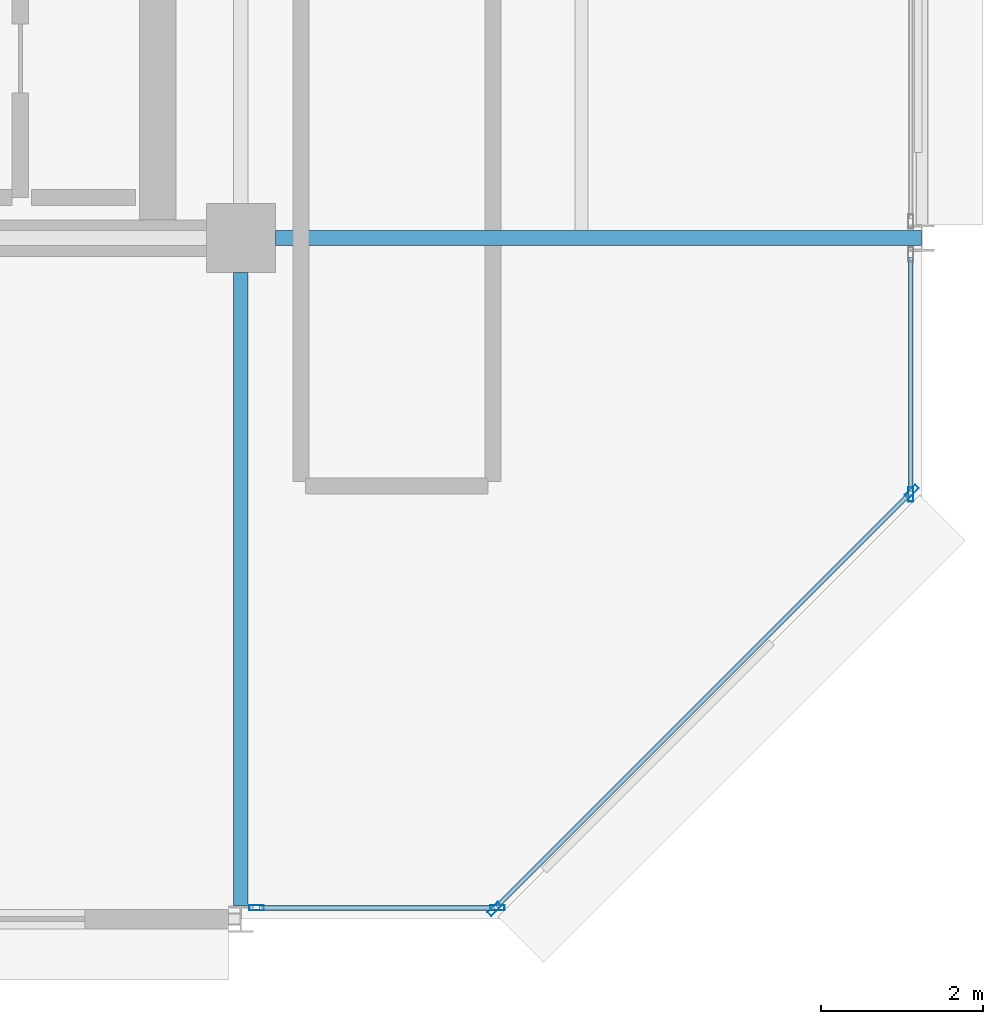
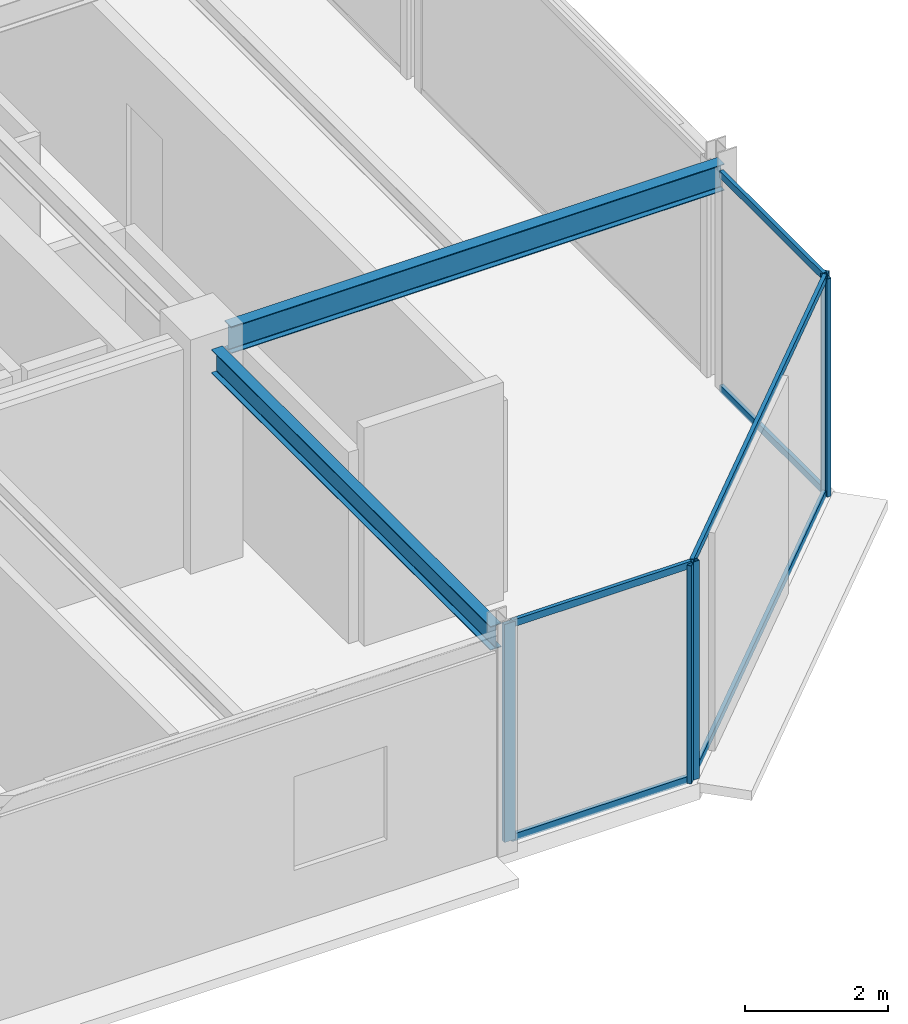
# One storey, part 14 of 27: 11 members, 2 beams, 3 elements without a shape of their own.
"""IFC4 building model written with IfcOpenShell, lengths in metres."""

import ifcopenshell
import ifcopenshell.guid

model = None  # the IFC model being written
_history = None  # IfcOwnerHistory: only IFC2X3 demands one
_inside = {}  # id of a spatial element -> (the spatial element, [elements in it])
_under = {}  # id of a project, library or spatial element -> (it, [spatial elements below it])
_declared = {}  # id of a project -> (the project, [libraries it declares])
_typed = {}  # id of a type object -> (the type object, [elements of that type])
_made_of = {}  # id of a material, layer set ... -> (it, [elements and type objects made of it])


def new_model(schema):
    """Start an empty IFC model of exactly this schema.

    Asked for "IFC4X3", IfcOpenShell would pick the latest addendum, in which some entities
    have other attributes; the version numbers below select the first issue.
    IFC2X3 requires an IfcOwnerHistory on every rooted entity: one is made here for all.
    """
    global model, _history
    if schema == "IFC4X3":
        model = ifcopenshell.file(schema_version=(4, 3, 0, 0))
    else:
        model = ifcopenshell.file(schema=schema)
    _inside.clear()
    _under.clear()
    _declared.clear()
    _typed.clear()
    _made_of.clear()
    _history = None
    if model.schema == "IFC2X3":
        org = make("IfcOrganization", Name="unknown")
        user = make(
            "IfcPersonAndOrganization",
            ThePerson=make("IfcPerson", FamilyName="unknown"),
            TheOrganization=org,
        )
        app = make(
            "IfcApplication",
            ApplicationDeveloper=org,
            Version="unknown",
            ApplicationFullName="unknown",
            ApplicationIdentifier="unknown",
        )
        _history = make(
            "IfcOwnerHistory",
            OwningUser=user,
            OwningApplication=app,
            ChangeAction="ADDED",
            CreationDate=0,
        )
    return model


def make(cls, **values):
    """One entity of the class cls with the attributes given. An attribute that is None is left unset."""
    return model.create_entity(
        cls, **{name: value for name, value in values.items() if value is not None}
    )


def rooted(cls, **values):
    """An entity with a GlobalId (a new one), such as an element, a storey or a relation."""
    return make(cls, GlobalId=ifcopenshell.guid.new(), OwnerHistory=_history, **values)


def si_unit(unit_type, name, prefix=None):
    """IfcSIUnit, for example si_unit("LENGTHUNIT", "METRE", prefix="MILLI")."""
    return make("IfcSIUnit", UnitType=unit_type, Prefix=prefix, Name=name)


def assignment(units):
    """IfcUnitAssignment: the units of a project."""
    return None if units is None else make("IfcUnitAssignment", Units=units)


def point(xyz):
    """IfcCartesianPoint."""
    return None if xyz is None else make("IfcCartesianPoint", Coordinates=xyz)


def direction(xyz):
    """IfcDirection."""
    return None if xyz is None else make("IfcDirection", DirectionRatios=xyz)


def frame(location, z_axis=None, x_axis=None):
    """IfcAxis2Placement3D, a coordinate frame: its origin and axes. An axis left out is left unset."""
    return make(
        "IfcAxis2Placement3D",
        Location=point(location),
        Axis=direction(z_axis),
        RefDirection=direction(x_axis),
    )


def frame_2d(location, x_axis=None):
    """IfcAxis2Placement2D, a coordinate frame in the plane: its origin and x axis."""
    return make(
        "IfcAxis2Placement2D", Location=point(location), RefDirection=direction(x_axis)
    )


def origin():
    """The frame at (0, 0, 0) with its axes left unset."""
    return frame((0.0, 0.0, 0.0))


def origin_2d():
    """The frame at (0, 0) in the plane with its x axis left unset."""
    return frame_2d((0.0, 0.0))


def place(relative_to, where):
    """IfcLocalPlacement: puts the frame where relative to a parent placement (None: the world)."""
    return make(
        "IfcLocalPlacement", PlacementRelTo=relative_to, RelativePlacement=where
    )


def context(
    kind, dimensions, precision=None, world=None, true_north=None, identifier=None
):
    """IfcGeometricRepresentationContext, for example the 3D "Model" context."""
    return make(
        "IfcGeometricRepresentationContext",
        ContextIdentifier=identifier,
        ContextType=kind,
        CoordinateSpaceDimension=dimensions,
        Precision=precision,
        WorldCoordinateSystem=world,
        TrueNorth=true_north,
    )


def subcontext(parent, identifier, kind, view, scale=None):
    """IfcGeometricRepresentationSubContext, for example "Body" below "Model"."""
    return make(
        "IfcGeometricRepresentationSubContext",
        ContextIdentifier=identifier,
        ContextType=kind,
        ParentContext=parent,
        TargetScale=scale,
        TargetView=view,
    )


def project(units=None, contexts=None):
    """IfcProject with its units and contexts."""
    return rooted(
        "IfcProject",
        Name="project",
        RepresentationContexts=contexts,
        UnitsInContext=assignment(units),
    )


def spatial(cls, under=None, at=None, **own):
    """A site, building, storey or space (cls), placed at a placement, below another one or the project."""
    s = rooted(cls, ObjectPlacement=at, **own)
    if under is not None:
        _under.setdefault(under.id(), (under, []))[1].append(s)
    return s


def profile(cls, at=None, kind="AREA", **sizes):
    """A parametric profile (cls). Its sizes go by their IFC names, for example OverallWidth=200.0."""
    return make(cls, ProfileType=kind, Position=at, **sizes)


def hollow_rectangle(**sizes):
    """IfcRectangleHollowProfileDef."""
    return profile("IfcRectangleHollowProfileDef", **sizes)


def i_section(**sizes):
    """IfcIShapeProfileDef."""
    return profile("IfcIShapeProfileDef", **sizes)


def extrude(swept, where, along, depth):
    """IfcExtrudedAreaSolid: the profile swept, set in the frame where, extruded along a direction by depth."""
    return make(
        "IfcExtrudedAreaSolid",
        SweptArea=swept,
        Position=where,
        ExtrudedDirection=direction(along),
        Depth=depth,
    )


def shape(context_of_items, identifier, shape_type, items):
    """IfcShapeRepresentation: the items that make up one representation, for example the "Body"."""
    return make(
        "IfcShapeRepresentation",
        ContextOfItems=context_of_items,
        RepresentationIdentifier=identifier,
        RepresentationType=shape_type,
        Items=items,
    )


def material(Name=None, Category=None):
    """IfcMaterial."""
    return make("IfcMaterial", Name=Name, Category=Category)


def layer(
    of_material, thickness, ventilated=None, Name=None, Category=None, Priority=None
):
    """IfcMaterialLayer: one layer of a wall or slab, of a material (None: an air gap)."""
    return make(
        "IfcMaterialLayer",
        Material=of_material,
        LayerThickness=thickness,
        IsVentilated=ventilated,
        Name=Name,
        Category=Category,
        Priority=Priority,
    )


def layer_set(layers, Name=None):
    """IfcMaterialLayerSet."""
    return make("IfcMaterialLayerSet", MaterialLayers=layers, LayerSetName=Name)


def material_profile(
    of_material, cross_section, Name=None, Category=None, Priority=None
):
    """IfcMaterialProfile: a cross section and its material."""
    return make(
        "IfcMaterialProfile",
        Name=Name,
        Material=of_material,
        Profile=cross_section,
        Priority=Priority,
        Category=Category,
    )


def profile_set(profiles, Name=None, composite=None):
    """IfcMaterialProfileSet."""
    return make(
        "IfcMaterialProfileSet",
        Name=Name,
        MaterialProfiles=profiles,
        CompositeProfile=composite,
    )


def made_of(thing, what):
    """Note that an element or type object is made of a material, layer set ...; save() writes the relation."""
    if what is not None:
        _made_of.setdefault(what.id(), (what, []))[1].append(thing)
    return thing


def type_object(cls, material=None, **own):
    """A type object (cls), such as IfcWallType, which elements share."""
    return made_of(rooted(cls, **own), material)


def element(
    cls,
    number,
    at=None,
    inside=None,
    cuts=None,
    type_object=None,
    material=None,
    context=None,
    identifier="Body",
    shape_type=None,
    held_by="IfcProductDefinitionShape",
    body=None,
    shapes=None,
    **own,
):
    """One element of the class cls, such as IfcWall. Its Tag is "e" and its number.

    at: its placement. inside: the storey or other place that contains it. cuts: it is an
    opening in that element (IfcRelVoidsElement). A single representation is given by context,
    identifier, shape_type and body (its items); several are given by shapes. held_by: the class
    of the entity that holds the representations. save() writes the other relations.
    """
    e = rooted(cls, Tag="e%d" % number, ObjectPlacement=at, **own)
    if body is not None:
        shapes = [shape(context, identifier, shape_type, body)]
    if shapes is not None:
        e.Representation = make(held_by, Representations=shapes)
    if inside is not None:
        _inside.setdefault(inside.id(), (inside, []))[1].append(e)
    if cuts is not None:
        rooted(
            "IfcRelVoidsElement", RelatingBuildingElement=cuts, RelatedOpeningElement=e
        )
    if type_object is not None:
        _typed.setdefault(type_object.id(), (type_object, []))[1].append(e)
    return made_of(e, material)


def aggregate(whole, parts):
    """IfcRelAggregates: a whole, such as a stair, and the parts it consists of."""
    return rooted("IfcRelAggregates", RelatingObject=whole, RelatedObjects=parts)


def save(model, path):
    """Write the relations noted so far, then the file.

    IfcRelAggregates (storeys below a building ...), IfcRelContainedInSpatialStructure (elements
    in a storey), IfcRelDefinesByType, IfcRelAssociatesMaterial and IfcRelDeclares: one each for
    every whole, place, type object, material and project.
    """
    for whole, parts in _under.values():
        aggregate(whole, parts)
    for where, things in _inside.values():
        rooted(
            "IfcRelContainedInSpatialStructure",
            RelatedElements=things,
            RelatingStructure=where,
        )
    for kind, things in _typed.values():
        rooted("IfcRelDefinesByType", RelatedObjects=things, RelatingType=kind)
    for what, things in _made_of.values():
        rooted("IfcRelAssociatesMaterial", RelatedObjects=things, RelatingMaterial=what)
    for by, libraries in _declared.values():
        rooted("IfcRelDeclares", RelatingContext=by, RelatedDefinitions=libraries)
    model.write(path)


model = new_model("IFC4")

# Units and contexts
model_context = context("Model", 3, precision=1e-05, world=origin(), true_north=direction((0.0, 1.0)))
body_context = subcontext(model_context, "Body", "Model", "MODEL_VIEW")
ifc_project = project(units=[si_unit("LENGTHUNIT", "METRE"), si_unit("AREAUNIT", "SQUARE_METRE"), si_unit("VOLUMEUNIT", "CUBIC_METRE"), si_unit("PLANEANGLEUNIT", "RADIAN"), si_unit("MASSUNIT", "GRAM", prefix="KILO")], contexts=[model_context])

# Site, building, storey
site_placement = place(None, origin())
site = spatial("IfcSite", under=ifc_project, at=site_placement, CompositionType="ELEMENT")
building_placement = place(site_placement, origin())
building = spatial("IfcBuilding", under=site, at=building_placement, Name="Nerrivon Quay Data Exchange", CompositionType="ELEMENT")
storey_placement = place(building_placement, frame((0.0, 0.0, 266.199951171875)))
storey = spatial("IfcBuildingStorey", under=building, at=storey_placement, Name="L63", CompositionType="ELEMENT", Elevation=266.199951171875)

# Beams
ifc_material_1 = material(Name="Steel Grade 350", Category="steel")
ifc_material_profile_1 = material_profile(ifc_material_1, i_section(OverallWidth=0.18994140625, OverallDepth=0.4541015625, WebThickness=0.008544921875, FlangeThickness=0.0126953125, FilletRadius=0.011474609375, at=origin_2d()), Name="460UB67.1")
ifc_profile_set_1 = profile_set([ifc_material_profile_1], Name="Steel Grade 350")
beam_type_1 = type_object("IfcBeamType", Name="BM-G6-460UB67", PredefinedType="BEAM", material=ifc_profile_set_1)
beam_1_placement = place(storey_placement, frame((34.02490234375, 8.39990234375, 3.498046875), z_axis=(1.0, 0.0, 0.0), x_axis=(0.0, 1.0, 0.0)))
element("IfcBeam", 1, at=beam_1_placement, inside=storey, type_object=beam_type_1, Name="L63 EW Girder Y=8.4 (33.6..42.0)", PredefinedType="BEAM", context=body_context, shape_type="SweptSolid", body=[
    extrude(i_section(OverallWidth=0.18994140625, OverallDepth=0.4541015625, WebThickness=0.008544921875, FlangeThickness=0.0126953125, FilletRadius=0.011474609375, at=origin_2d()), origin(), (0.0, 0.0, 1.0), 7.96728515625),
])
ifc_material_profile_2 = material_profile(ifc_material_1, i_section(OverallWidth=0.177978515625, OverallDepth=0.406005859375, WebThickness=0.0078125, FlangeThickness=0.0126953125, FilletRadius=0.011474609375, at=origin_2d()), Name="410UB59.7")
ifc_profile_set_2 = profile_set([ifc_material_profile_2], Name="Steel Grade 350")
beam_type_2 = type_object("IfcBeamType", Name="BM-J1-410UB60", PredefinedType="JOIST", material=ifc_profile_set_2)
beam_2_placement = place(storey_placement, frame((33.60009765625, 0.16357421875, 3.52197265625), z_axis=(0.0, 1.0, 0.0), x_axis=(-1.0, 0.0, 0.0)))
element("IfcBeam", 2, at=beam_2_placement, inside=storey, type_object=beam_type_2, Name="L63 NS Girder X=33.6 (0.0..8.4)", PredefinedType="JOIST", context=body_context, shape_type="SweptSolid", body=[
    extrude(i_section(OverallWidth=0.177978515625, OverallDepth=0.406005859375, WebThickness=0.0078125, FlangeThickness=0.0126953125, FilletRadius=0.011474609375, at=origin_2d()), origin(), (0.0, 0.0, 1.0), 7.8115234375),
])

# Curtain wall, members
ifc_material_2 = material(Name="Anodised aluminium 6063-T6", Category="aluminium")
ifc_layer = layer(ifc_material_2, 0.195068359375)
ifc_layer_set = layer_set([ifc_layer], Name="Anodised aluminium 6063-T6")
curtain_wall_type = type_object("IfcCurtainWallType", Name="CW-SYS-06", PredefinedType="NOTDEFINED", material=ifc_layer_set)
curtain_wall_1_placement = place(storey_placement, origin())
curtain_wall_1 = element("IfcCurtainWall", 3, at=curtain_wall_1_placement, inside=storey, type_object=curtain_wall_type, Name="L63 Unitised Curtain Wall 1", PredefinedType="NOTDEFINED")
ifc_material_profile_3 = material_profile(ifc_material_2, hollow_rectangle(XDim=0.06494140625, YDim=0.179931640625, WallThickness=0.00341796875, at=origin_2d()), Name="ALU-MULL-180x65")
ifc_profile_set_3 = profile_set([ifc_material_profile_3], Name="Anodised aluminium 6063-T6")
member_type_1 = type_object("IfcMemberType", Name="CWM-180x65", PredefinedType="MULLION", material=ifc_profile_set_3)
member_1_placement = place(storey_placement, frame((41.87451171875, 5.2724609375, 0.0), z_axis=(0.0, 0.0, 1.0), x_axis=(0.707106781187, -0.707106781187, 0.0)))
member_1 = element("IfcMember", 4, at=member_1_placement, type_object=member_type_1, Name="CW06 mullion 1", PredefinedType="MULLION", context=body_context, shape_type="SweptSolid", body=[
    extrude(hollow_rectangle(XDim=0.06494140625, YDim=0.179931640625, WallThickness=0.00341796875, at=origin_2d()), origin(), (0.0, 0.0, 1.0), 3.72509765625),
])
member_2_placement = place(storey_placement, frame((36.7275390625, 0.12548828125, 0.0), z_axis=(0.0, 0.0, 1.0), x_axis=(0.707106781187, -0.707106781187, 0.0)))
member_2 = element("IfcMember", 5, at=member_2_placement, type_object=member_type_1, Name="CW06 mullion 2", PredefinedType="MULLION", context=body_context, shape_type="SweptSolid", body=[
    extrude(hollow_rectangle(XDim=0.06494140625, YDim=0.179931640625, WallThickness=0.00341796875, at=origin_2d()), origin(), (0.0, 0.0, 1.0), 3.72509765625),
])

curtain_wall_2_placement = place(storey_placement, origin())
curtain_wall_2 = element("IfcCurtainWall", 6, at=curtain_wall_2_placement, inside=storey, type_object=curtain_wall_type, Name="L63 Unitised Curtain Wall 2", PredefinedType="NOTDEFINED")
member_3_placement = place(storey_placement, frame((36.762451171875, 0.139892578125, 0.0), z_axis=(0.0, 0.0, 1.0), x_axis=(0.0, -1.0, 0.0)))
member_3 = element("IfcMember", 7, at=member_3_placement, type_object=member_type_1, Name="CW06 mullion 1", PredefinedType="MULLION", context=body_context, shape_type="SweptSolid", body=[
    extrude(hollow_rectangle(XDim=0.06494140625, YDim=0.179931640625, WallThickness=0.00341796875, at=origin_2d()), origin(), (0.0, 0.0, 1.0), 3.72509765625),
])
member_4_placement = place(storey_placement, frame((33.79296875, 0.139892578125, 0.0), z_axis=(0.0, 0.0, 1.0), x_axis=(0.0, -1.0, 0.0)))
member_4 = element("IfcMember", 8, at=member_4_placement, type_object=member_type_1, Name="CW06 mullion 2", PredefinedType="MULLION", context=body_context, shape_type="SweptSolid", body=[
    extrude(hollow_rectangle(XDim=0.06494140625, YDim=0.179931640625, WallThickness=0.00341796875, at=origin_2d()), origin(), (0.0, 0.0, 1.0), 3.72509765625),
])

# Curtain wall, member
curtain_wall_3_placement = place(storey_placement, origin())
curtain_wall_3 = element("IfcCurtainWall", 9, at=curtain_wall_3_placement, inside=storey, type_object=curtain_wall_type, Name="L63 Unitised Curtain Wall 28", PredefinedType="NOTDEFINED")
member_5_placement = place(storey_placement, frame((41.860107421875, 5.237548828125, 0.0), z_axis=(0.0, 0.0, 1.0), x_axis=(1.0, 0.0, 0.0)))
member_5 = element("IfcMember", 10, at=member_5_placement, type_object=member_type_1, Name="CW06 mullion 2", PredefinedType="MULLION", context=body_context, shape_type="SweptSolid", body=[
    extrude(hollow_rectangle(XDim=0.06494140625, YDim=0.179931640625, WallThickness=0.00341796875, at=origin_2d()), origin(), (0.0, 0.0, 1.0), 3.72509765625),
])

# Member
ifc_material_profile_4 = material_profile(ifc_material_2, hollow_rectangle(XDim=0.06005859375, YDim=0.1201171875, WallThickness=0.003173828125, at=origin_2d()), Name="ALU-TRAN-120x60")
ifc_profile_set_4 = profile_set([ifc_material_profile_4], Name="Anodised aluminium 6063-T6")
member_type_2 = type_object("IfcMemberType", Name="CWT-120x60", PredefinedType="USERDEFINED", material=ifc_profile_set_4)
member_6_placement = place(storey_placement, frame((41.847900390625, 5.245849609375, 0.032470703125), z_axis=(-0.707106781187, -0.707106781187, 0.0), x_axis=(0.707106781187, -0.707106781187, 0.0)))
member_6 = element("IfcMember", 11, at=member_6_placement, type_object=member_type_2, Name="CW06 transom 1.1", ObjectType="TRANSOM", PredefinedType="USERDEFINED", context=body_context, shape_type="SweptSolid", body=[
    extrude(hollow_rectangle(XDim=0.06005859375, YDim=0.1201171875, WallThickness=0.003173828125, at=origin_2d()), origin(), (0.0, 0.0, 1.0), 7.20361328125),
])

member_7_placement = place(storey_placement, frame((41.847900390625, 5.245849609375, 3.692626953125), z_axis=(-0.707106781187, -0.707106781187, 0.0), x_axis=(0.707106781187, -0.707106781187, 0.0)))
member_7 = element("IfcMember", 12, at=member_7_placement, type_object=member_type_2, Name="CW06 transom 1.2", ObjectType="TRANSOM", PredefinedType="USERDEFINED", context=body_context, shape_type="SweptSolid", body=[
    extrude(hollow_rectangle(XDim=0.06005859375, YDim=0.1201171875, WallThickness=0.003173828125, at=origin_2d()), origin(), (0.0, 0.0, 1.0), 7.20361328125),
])

aggregate(curtain_wall_1, [member_1, member_2, member_6, member_7])

member_8_placement = place(storey_placement, frame((36.72509765625, 0.139892578125, 0.032470703125), z_axis=(-1.0, 0.0, 0.0), x_axis=(0.0, -1.0, 0.0)))
member_8 = element("IfcMember", 13, at=member_8_placement, type_object=member_type_2, Name="CW06 transom 1.1", ObjectType="TRANSOM", PredefinedType="USERDEFINED", context=body_context, shape_type="SweptSolid", body=[
    extrude(hollow_rectangle(XDim=0.06005859375, YDim=0.1201171875, WallThickness=0.003173828125, at=origin_2d()), origin(), (0.0, 0.0, 1.0), 2.89453125),
])

member_9_placement = place(storey_placement, frame((36.72509765625, 0.139892578125, 3.692626953125), z_axis=(-1.0, 0.0, 0.0), x_axis=(0.0, -1.0, 0.0)))
member_9 = element("IfcMember", 14, at=member_9_placement, type_object=member_type_2, Name="CW06 transom 1.2", ObjectType="TRANSOM", PredefinedType="USERDEFINED", context=body_context, shape_type="SweptSolid", body=[
    extrude(hollow_rectangle(XDim=0.06005859375, YDim=0.1201171875, WallThickness=0.003173828125, at=origin_2d()), origin(), (0.0, 0.0, 1.0), 2.89453125),
])

aggregate(curtain_wall_2, [member_3, member_4, member_8, member_9])

member_10_placement = place(storey_placement, frame((41.860107421875, 8.16162109375, 0.032470703125), z_axis=(0.0, -1.0, 0.0), x_axis=(1.0, 0.0, 0.0)))
member_10 = element("IfcMember", 15, at=member_10_placement, type_object=member_type_2, Name="CW06 transom 1.1", ObjectType="TRANSOM", PredefinedType="USERDEFINED", context=body_context, shape_type="SweptSolid", body=[
    extrude(hollow_rectangle(XDim=0.06005859375, YDim=0.1201171875, WallThickness=0.003173828125, at=origin_2d()), origin(), (0.0, 0.0, 1.0), 2.88671875),
])

member_11_placement = place(storey_placement, frame((41.860107421875, 8.16162109375, 3.692626953125), z_axis=(0.0, -1.0, 0.0), x_axis=(1.0, 0.0, 0.0)))
member_11 = element("IfcMember", 16, at=member_11_placement, type_object=member_type_2, Name="CW06 transom 1.2", ObjectType="TRANSOM", PredefinedType="USERDEFINED", context=body_context, shape_type="SweptSolid", body=[
    extrude(hollow_rectangle(XDim=0.06005859375, YDim=0.1201171875, WallThickness=0.003173828125, at=origin_2d()), origin(), (0.0, 0.0, 1.0), 2.88671875),
])

aggregate(curtain_wall_3, [member_5, member_10, member_11])

save(model, "model.ifc")
